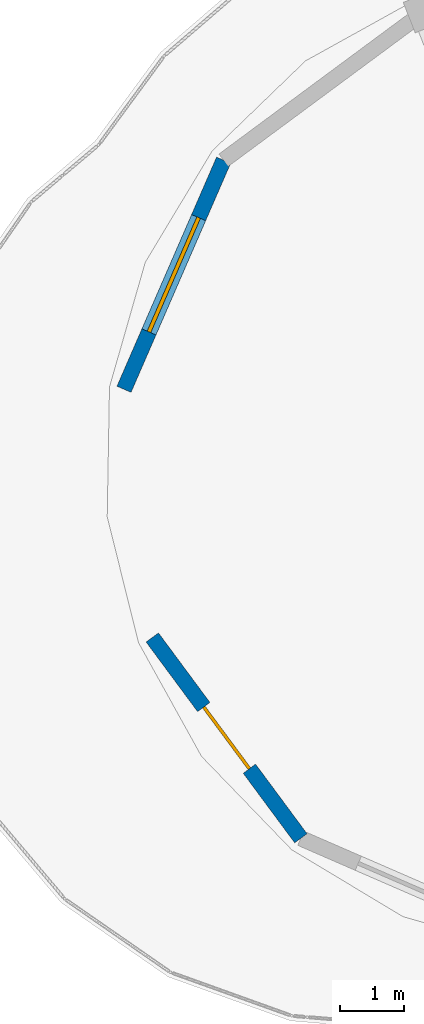
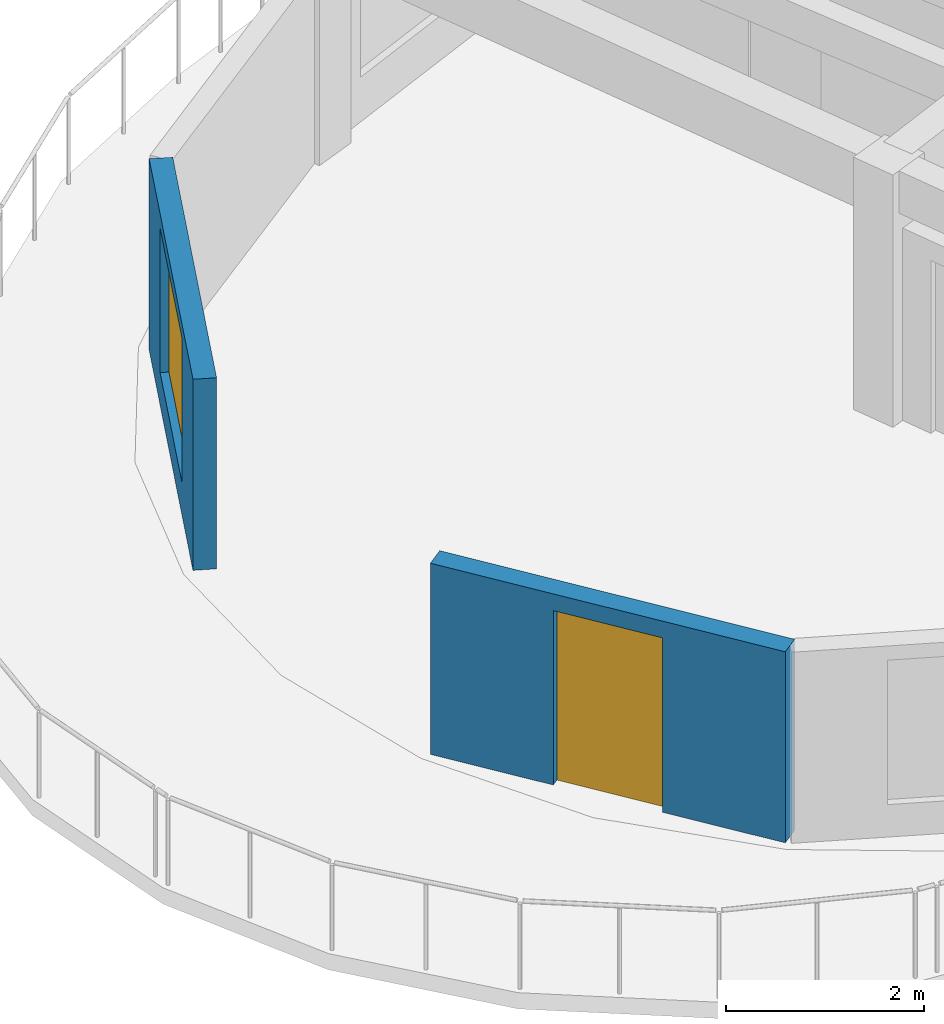
# One storey, part 45 of 83: 2 walls, 1 door, 1 window, 2 openings.
"""IFC4 building model written with IfcOpenShell, lengths in metres."""

from ifc_helpers import new_model, si_unit, direction, frame, frame_2d, origin, place, context, subcontext, project, spatial, rectangle, extrude, material, layer, layer_set, type_object, element, fill, save


model = new_model("IFC4")

# Units and contexts
model_context = context("Model", 3, precision=1e-05, world=origin(), true_north=direction((0.0, 1.0)))
body_context = subcontext(model_context, "Body", "Model", "MODEL_VIEW")
ifc_project = project(units=[si_unit("LENGTHUNIT", "METRE"), si_unit("AREAUNIT", "SQUARE_METRE"), si_unit("VOLUMEUNIT", "CUBIC_METRE"), si_unit("PLANEANGLEUNIT", "RADIAN"), si_unit("MASSUNIT", "GRAM", prefix="KILO")], contexts=[model_context])

# Site, building, storey
site_placement = place(None, origin())
site = spatial("IfcSite", under=ifc_project, at=site_placement, CompositionType="ELEMENT")
building_placement = place(site_placement, origin())
building = spatial("IfcBuilding", under=site, at=building_placement, Name="Tanwirah Colonnade Gardens", CompositionType="ELEMENT")
storey_placement = place(building_placement, frame((0.0, 0.0, 25.639892578125)))
storey = spatial("IfcBuildingStorey", under=building, at=storey_placement, Name="L07", CompositionType="ELEMENT", Elevation=25.639892578125)

# Wall, opening, door
ifc_material_1 = material(Name="Limestone architectural precast concrete C40/50", Category="masonry")
ifc_layer = layer(ifc_material_1, 0.239990234375)
ifc_layer_set = layer_set([ifc_layer], Name="Limestone architectural precast concrete C40/50")
wall_type = type_object("IfcWallType", Name="EW-PC240", PredefinedType="SOLIDWALL", material=ifc_layer_set)
wall_1_placement = place(storey_placement, frame((135.358154296875, 10.20947265625, 0.0), z_axis=(0.0, 0.0, 1.0), x_axis=(-0.59480021971, 0.803873558859, 0.0)))
wall_1 = element("IfcWall", 1, at=wall_1_placement, inside=storey, type_object=wall_type, Name="Block D L07 START Rounded End Wall 2", PredefinedType="SOLIDWALL", context=body_context, shape_type="SweptSolid", body=[
    extrude(rectangle(XDim=3.908447265625, YDim=0.239990234375, at=frame_2d((1.9541015625, 0.0))), origin(), (0.0, 0.0, 1.0), 2.355224609375),
])
opening_1_placement = place(wall_1_placement, frame((1.35400390625, 0.0, 0.0)))
opening_1 = element("IfcOpeningElement", 2, at=opening_1_placement, cuts=wall_1, Name="Opening L07-ED209", PredefinedType="OPENING", context=body_context, shape_type="SweptSolid", body=[
    extrude(rectangle(XDim=1.199951171875, YDim=2.14990234375, at=frame_2d((0.60009765625, 1.074951171875))), frame((0.0, 0.1298828125, 0.0), z_axis=(0.0, -1.0, 0.0), x_axis=(1.0, 0.0, 0.0)), (0.0, 0.0, 1.0), 0.260009765625),
])
ifc_material_2 = material(Name="Bronze aluminium glazed terrace door", Category="aluminium")
door_type = type_object("IfcDoorType", Name="ED-TER120", OperationType="NOTDEFINED", PredefinedType="DOOR", material=ifc_material_2)
door_placement = place(opening_1_placement, origin())
door = element("IfcDoor", 3, at=door_placement, inside=storey, type_object=door_type, Name="Stepped corner terrace door L07-ED209", OperationType="SINGLE_SWING_RIGHT", OverallHeight=2.14990234375, OverallWidth=1.199951171875, PredefinedType="DOOR", context=body_context, shape_type="SweptSolid", body=[
    extrude(rectangle(XDim=1.199951171875, YDim=2.14990234375, at=frame_2d((0.60009765625, 1.074951171875))), frame((0.0, 0.02490234375, 0.0), z_axis=(0.0, -1.0, 0.0), x_axis=(1.0, 0.0, 0.0)), (0.0, 0.0, 1.0), 0.050048828125),
])
fill(opening_1, door)

# Wall, opening, window
wall_2_placement = place(storey_placement, frame((132.591064453125, 17.234130859375, 0.0), z_axis=(0.0, 0.0, 1.0), x_axis=(0.398723827264, 0.917071049359, 0.0)))
wall_2 = element("IfcWall", 4, at=wall_2_placement, inside=storey, type_object=wall_type, Name="Block D L07 START Rounded End Wall 4", PredefinedType="SOLIDWALL", context=body_context, shape_type="SweptSolid", body=[
    extrude(rectangle(XDim=3.908447265625, YDim=0.239990234375, at=frame_2d((1.9541015625, 0.0))), origin(), (0.0, 0.0, 1.0), 2.355224609375),
])
opening_2_placement = place(wall_2_placement, frame((0.97900390625, 0.0, 0.39990234375)))
opening_2 = element("IfcOpeningElement", 5, at=opening_2_placement, cuts=wall_2, Name="Opening WIN-END2", PredefinedType="OPENING", context=body_context, shape_type="SweptSolid", body=[
    extrude(rectangle(XDim=1.949951171875, YDim=1.780029296875, at=frame_2d((0.97509765625, 0.89013671875))), frame((0.0, 0.1298828125, 0.0), z_axis=(0.0, -1.0, 0.0), x_axis=(1.0, 0.0, 0.0)), (0.0, 0.0, 1.0), 0.260009765625),
])
ifc_material_3 = material(Name="Thermally broken bronze aluminium and solar low-E double glazing", Category="aluminium")
window_type = type_object("IfcWindowType", Name="WIN-END2", PartitioningType="TRIPLE_PANEL_VERTICAL", PredefinedType="WINDOW", material=ifc_material_3)
window_placement = place(opening_2_placement, origin())
window = element("IfcWindow", 6, at=window_placement, inside=storey, type_object=window_type, Name="Rounded corner window D-L07-START-4", OverallHeight=1.780029296875, OverallWidth=1.949951171875, PartitioningType="SINGLE_PANEL", PredefinedType="WINDOW", context=body_context, shape_type="SweptSolid", body=[
    extrude(rectangle(XDim=1.949951171875, YDim=1.780029296875, at=frame_2d((0.97509765625, 0.89013671875))), frame((0.0, 0.030029296875, 0.0), z_axis=(0.0, -1.0, 0.0), x_axis=(1.0, 0.0, 0.0)), (0.0, 0.0, 1.0), 0.06005859375),
])
fill(opening_2, window)

save(model, "model.ifc")
